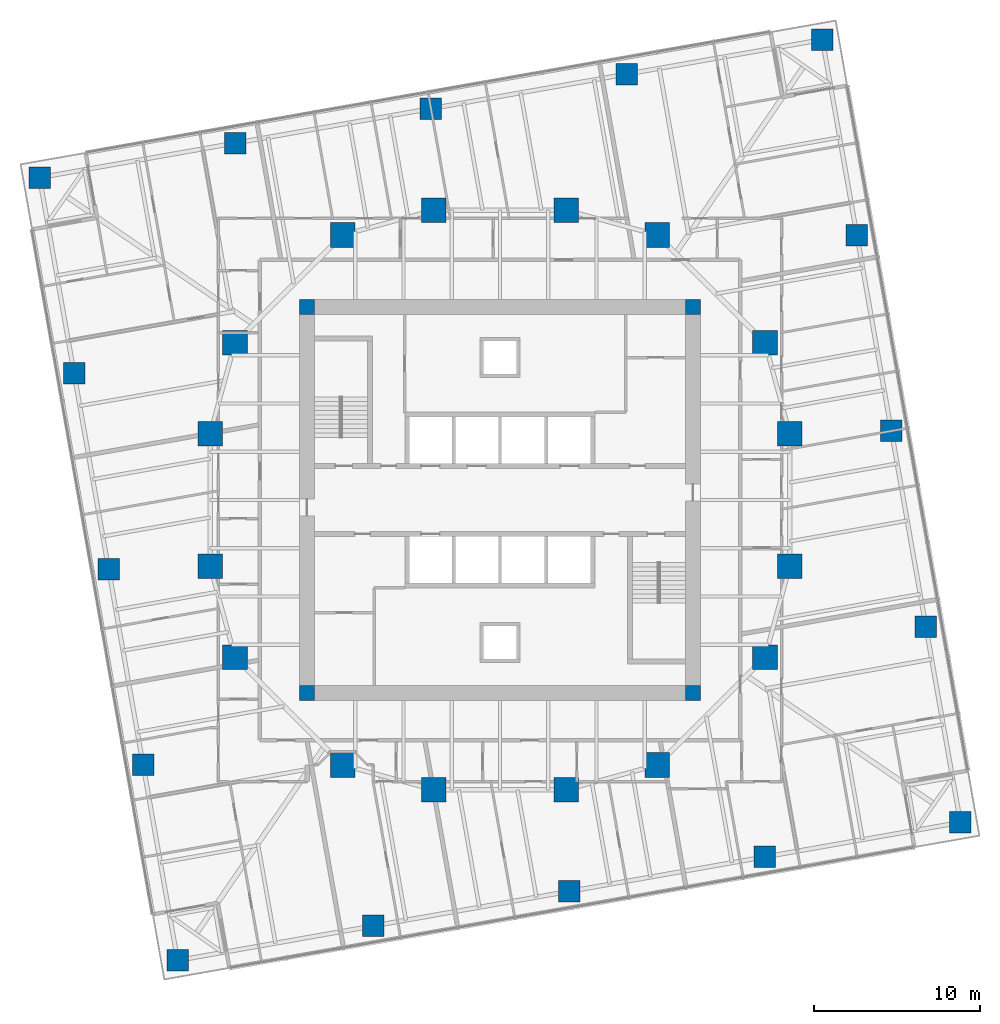
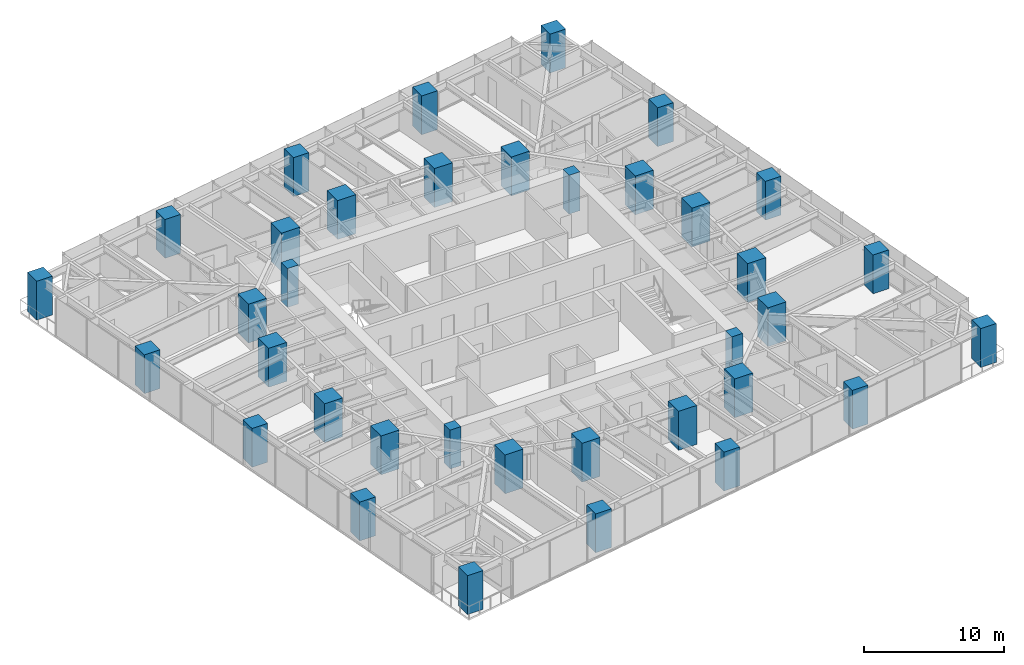
# One storey, part 1 of 14: 36 columns.
"""IFC4 building model written with IfcOpenShell, lengths in metres."""

from ifc_helpers import new_model, si_unit, direction, frame, origin, origin_2d, place, context, subcontext, project, spatial, rectangle, extrude, material, material_profile, profile_set, type_object, element, save


model = new_model("IFC4")

# Units and contexts
model_context = context("Model", 3, precision=1e-05, world=origin(), true_north=direction((0.0, 1.0)))
body_context = subcontext(model_context, "Body", "Model", "MODEL_VIEW")
ifc_project = project(units=[si_unit("LENGTHUNIT", "METRE"), si_unit("AREAUNIT", "SQUARE_METRE"), si_unit("VOLUMEUNIT", "CUBIC_METRE"), si_unit("PLANEANGLEUNIT", "RADIAN"), si_unit("MASSUNIT", "GRAM", prefix="KILO")], contexts=[model_context])

# Site, building, storey
site_placement = place(None, origin())
site = spatial("IfcSite", under=ifc_project, at=site_placement, CompositionType="ELEMENT")
building_placement = place(site_placement, origin())
building = spatial("IfcBuilding", under=site, at=building_placement, Name="Torsade Residences", CompositionType="ELEMENT")
storey_placement = place(building_placement, frame((0.0, 0.0, 86.199951171875)))
storey = spatial("IfcBuildingStorey", under=building, at=storey_placement, Name="L23", CompositionType="ELEMENT", Elevation=86.199951171875)

# Columns
ifc_material_1 = material(Name="Concrete 80 MPa", Category="concrete")
ifc_material_profile_1 = material_profile(ifc_material_1, rectangle(XDim=0.89990234375, YDim=0.89990234375, at=origin_2d()), Name="RC 900x900")
ifc_profile_set_1 = profile_set([ifc_material_profile_1], Name="Concrete 80 MPa")
column_type_1 = type_object("IfcColumnType", Name="CORE CORNER COLUMN RC 900x900", PredefinedType="COLUMN", material=ifc_profile_set_1)
for number, where, z_axis, x_axis, name in (
    (1, (28.35009765625, 18.35009765625, 0.0), (0.0, 0.0, 1.0), (1.0, 0.0, 0.0), "Core corner column CC1 L23"),
    (2, (51.64990234375, 18.35009765625, 0.0), (0.0, 0.0, 1.0), (1.0, 0.0, 0.0), "Core corner column CC2 L23"),
    (3, (51.64990234375, 41.64990234375, 0.0), (0.0, 0.0, 1.0), (1.0, 0.0, 0.0), "Core corner column CC3 L23"),
    (4, (28.35009765625, 41.64990234375, 0.0), (0.0, 0.0, 1.0), (1.0, 0.0, 0.0), "Core corner column CC4 L23"),
):
    element("IfcColumn", number, at=place(storey_placement, frame(where, z_axis=z_axis, x_axis=x_axis)), inside=storey, type_object=column_type_1, Name=name, PredefinedType="COLUMN", context=body_context, shape_type="SweptSolid", body=[
        extrude(rectangle(XDim=0.89990234375, YDim=0.89990234375, at=origin_2d()), origin(), (0.0, 0.0, 1.0), 3.400146484375),
    ])
ifc_material_2 = material(Name="Concrete 80 MPa", Category="concrete")
ifc_material_profile_2 = material_profile(ifc_material_2, rectangle(XDim=1.5, YDim=1.5, at=origin_2d()), Name="RC 1500x1500")
ifc_profile_set_2 = profile_set([ifc_material_profile_2], Name="Concrete 80 MPa")
column_type_2 = type_object("IfcColumnType", Name="INNER RING COLUMN RC 1500x1500", PredefinedType="COLUMN", material=ifc_profile_set_2)
for number, where, z_axis, x_axis, name in (
    (5, (57.5, 26.0, 0.0), (0.0, 0.0, 1.0), (1.0, 0.0, 0.0), "Inner ring column IR01 L23"),
    (6, (57.5, 34.0, 0.0), (0.0, 0.0, 1.0), (1.0, 0.0, 0.0), "Inner ring column IR02 L23"),
    (7, (56.0, 39.5, 0.0), (0.0, 0.0, 1.0), (1.0, 0.0, 0.0), "Inner ring column IR03 L23"),
    (8, (49.5, 46.0, 0.0), (0.0, 0.0, 1.0), (1.0, 0.0, 0.0), "Inner ring column IR04 L23"),
    (9, (44.0, 47.5, 0.0), (0.0, 0.0, 1.0), (1.0, 0.0, 0.0), "Inner ring column IR05 L23"),
    (10, (36.0, 47.5, 0.0), (0.0, 0.0, 1.0), (1.0, 0.0, 0.0), "Inner ring column IR06 L23"),
    (11, (30.5, 46.0, 0.0), (0.0, 0.0, 1.0), (1.0, 0.0, 0.0), "Inner ring column IR07 L23"),
    (12, (24.0, 39.5, 0.0), (0.0, 0.0, 1.0), (1.0, 0.0, 0.0), "Inner ring column IR08 L23"),
    (13, (22.5, 34.0, 0.0), (0.0, 0.0, 1.0), (1.0, 0.0, 0.0), "Inner ring column IR09 L23"),
    (14, (22.5, 26.0, 0.0), (0.0, 0.0, 1.0), (1.0, 0.0, 0.0), "Inner ring column IR10 L23"),
    (15, (24.0, 20.5, 0.0), (0.0, 0.0, 1.0), (1.0, 0.0, 0.0), "Inner ring column IR11 L23"),
    (16, (30.5, 14.0, 0.0), (0.0, 0.0, 1.0), (1.0, 0.0, 0.0), "Inner ring column IR12 L23"),
    (17, (36.0, 12.5, 0.0), (0.0, 0.0, 1.0), (1.0, 0.0, 0.0), "Inner ring column IR13 L23"),
    (18, (44.0, 12.5, 0.0), (0.0, 0.0, 1.0), (1.0, 0.0, 0.0), "Inner ring column IR14 L23"),
    (19, (49.5, 14.0, 0.0), (0.0, 0.0, 1.0), (1.0, 0.0, 0.0), "Inner ring column IR15 L23"),
    (20, (56.0, 20.5, 0.0), (0.0, 0.0, 1.0), (1.0, 0.0, 0.0), "Inner ring column IR16 L23"),
):
    element("IfcColumn", number, at=place(storey_placement, frame(where, z_axis=z_axis, x_axis=x_axis)), inside=storey, type_object=column_type_2, Name=name, PredefinedType="COLUMN", context=body_context, shape_type="SweptSolid", body=[
        extrude(rectangle(XDim=1.5, YDim=1.5, at=origin_2d()), origin(), (0.0, 0.0, 1.0), 3.400146484375),
    ])
ifc_material_3 = material(Name="Concrete 80 MPa", Category="concrete")
ifc_material_profile_3 = material_profile(ifc_material_3, rectangle(XDim=1.300048828125, YDim=1.300048828125, at=origin_2d()), Name="RC 1300x1300")
ifc_profile_set_3 = profile_set([ifc_material_profile_3], Name="Concrete 80 MPa")
column_type_3 = type_object("IfcColumnType", Name="TOWER COLUMN RC 1300x1300", PredefinedType="COLUMN", material=ifc_profile_set_3)
for number, where, z_axis, x_axis, name in (
    (21, (20.5322265625, 2.197021484375, 0.0), (0.0, 0.0, 1.0), (1.0, 0.0, 0.0), "Column TC3-01 L23"),
    (22, (32.349853515625, 4.28076171875, 0.0), (0.0, 0.0, 1.0), (1.0, 0.0, 0.0), "Column TC3-02 L23"),
    (23, (44.16748046875, 6.364501953125, 0.0), (0.0, 0.0, 1.0), (1.0, 0.0, 0.0), "Column TC3-03 L23"),
    (24, (55.9853515625, 8.448486328125, 0.0), (0.0, 0.0, 1.0), (1.0, 0.0, 0.0), "Column TC3-04 L23"),
    (25, (67.802978515625, 10.5322265625, 0.0), (0.0, 0.0, 1.0), (1.0, 0.0, 0.0), "Column TC3-05 L23"),
    (26, (65.71923828125, 22.349853515625, 0.0), (0.0, 0.0, 1.0), (1.0, 0.0, 0.0), "Column TC3-06 L23"),
    (27, (63.635498046875, 34.16748046875, 0.0), (0.0, 0.0, 1.0), (1.0, 0.0, 0.0), "Column TC3-07 L23"),
    (28, (61.551513671875, 45.9853515625, 0.0), (0.0, 0.0, 1.0), (1.0, 0.0, 0.0), "Column TC3-08 L23"),
    (29, (59.4677734375, 57.802978515625, 0.0), (0.0, 0.0, 1.0), (1.0, 0.0, 0.0), "Column TC3-09 L23"),
    (30, (47.650146484375, 55.71923828125, 0.0), (0.0, 0.0, 1.0), (1.0, 0.0, 0.0), "Column TC3-10 L23"),
    (31, (35.83251953125, 53.635498046875, 0.0), (0.0, 0.0, 1.0), (1.0, 0.0, 0.0), "Column TC3-11 L23"),
    (32, (24.0146484375, 51.551513671875, 0.0), (0.0, 0.0, 1.0), (1.0, 0.0, 0.0), "Column TC3-12 L23"),
    (33, (12.197021484375, 49.4677734375, 0.0), (0.0, 0.0, 1.0), (1.0, 0.0, 0.0), "Column TC3-13 L23"),
    (34, (14.28076171875, 37.650146484375, 0.0), (0.0, 0.0, 1.0), (1.0, 0.0, 0.0), "Column TC3-14 L23"),
    (35, (16.364501953125, 25.83251953125, 0.0), (0.0, 0.0, 1.0), (1.0, 0.0, 0.0), "Column TC3-15 L23"),
    (36, (18.448486328125, 14.0146484375, 0.0), (0.0, 0.0, 1.0), (1.0, 0.0, 0.0), "Column TC3-16 L23"),
):
    element("IfcColumn", number, at=place(storey_placement, frame(where, z_axis=z_axis, x_axis=x_axis)), inside=storey, type_object=column_type_3, Name=name, PredefinedType="COLUMN", context=body_context, shape_type="SweptSolid", body=[
        extrude(rectangle(XDim=1.300048828125, YDim=1.300048828125, at=origin_2d()), origin(), (0.0, 0.0, 1.0), 3.400146484375),
    ])

save(model, "model.ifc")
